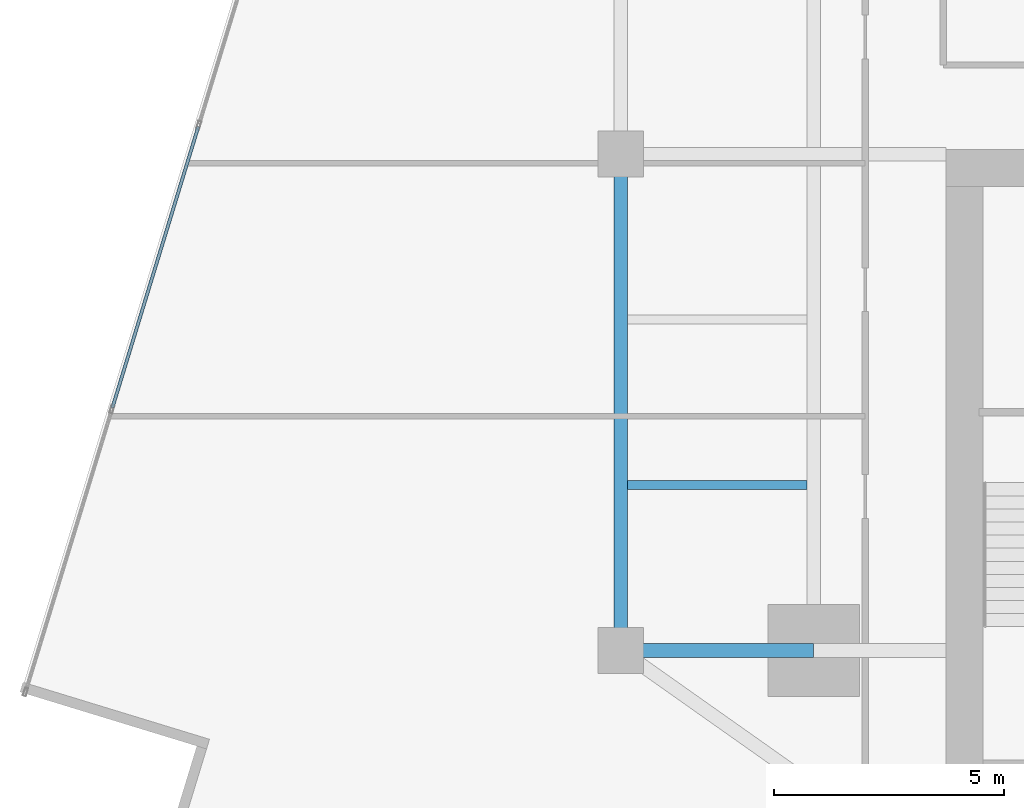
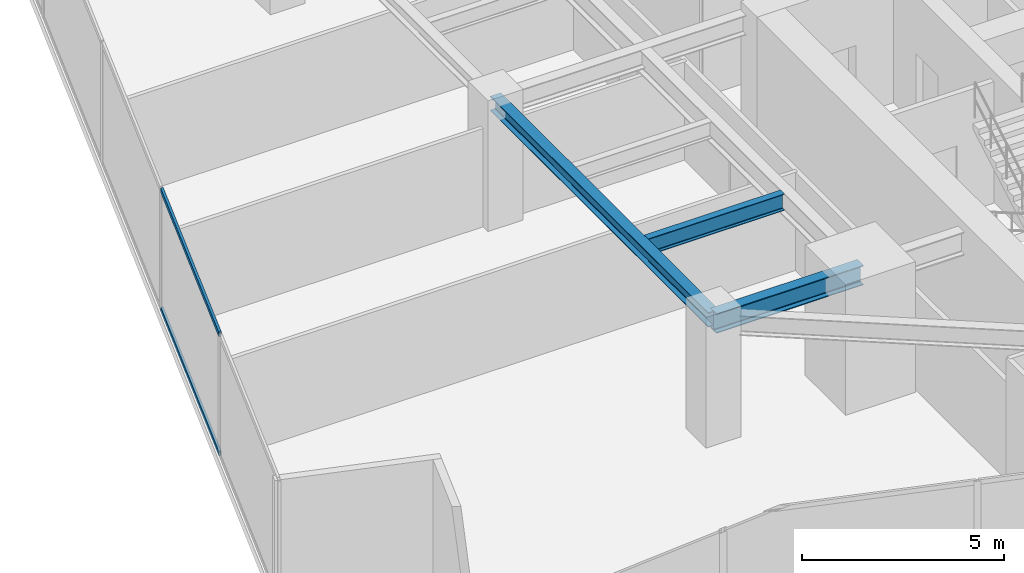
# One storey, part 6 of 26: 3 beams, 2 members, 1 element without a shape of its own.
"""IFC4 building model written with IfcOpenShell, lengths in metres."""

from ifc_helpers import new_model, si_unit, direction, frame, origin, origin_2d, place, context, subcontext, project, spatial, hollow_rectangle, i_section, extrude, source, transform, mapped, material, material_profile, profile_set, type_object, type_shapes, element, aggregate, save


model = new_model("IFC4")

# Units and contexts
model_context = context("Model", 3, precision=1e-05, world=origin(), true_north=direction((0.0, 1.0)))
body_context = subcontext(model_context, "Body", "Model", "MODEL_VIEW")
ifc_project = project(units=[si_unit("LENGTHUNIT", "METRE"), si_unit("AREAUNIT", "SQUARE_METRE"), si_unit("VOLUMEUNIT", "CUBIC_METRE"), si_unit("PLANEANGLEUNIT", "RADIAN"), si_unit("MASSUNIT", "GRAM", prefix="KILO")], contexts=[model_context])

# Site, building, storey
site_placement = place(None, origin())
site = spatial("IfcSite", under=ifc_project, at=site_placement, CompositionType="ELEMENT")
building_placement = place(site_placement, origin())
building = spatial("IfcBuilding", under=site, at=building_placement, Name="Krantzveldt Concourse Tower", CompositionType="ELEMENT")
storey_placement = place(building_placement, frame((0.0, 0.0, 113.75)))
storey = spatial("IfcBuildingStorey", under=building, at=storey_placement, Name="L27", CompositionType="ELEMENT", Elevation=113.75)

# Beams
ifc_material_1 = material(Name="Steel S355JR", Category="steel")
ifc_material_profile_1 = material_profile(ifc_material_1, i_section(OverallWidth=0.300048828125, OverallDepth=0.43994140625, WebThickness=0.011474609375, FlangeThickness=0.02099609375, FilletRadius=0.027099609375, at=origin_2d()), Name="Steel S355JR", Category="steel")
ifc_profile_set_1 = profile_set([ifc_material_profile_1], Name="Steel S355JR - HEA 450")
beam_type_1 = type_object("IfcBeamType", Name="BM-SP-HEA450", PredefinedType="SPANDREL", material=ifc_profile_set_1)
shared_shape_1 = source(origin(), body_context, "Body", "SweptSolid", [
    extrude(i_section(OverallWidth=0.300048828125, OverallDepth=0.43994140625, WebThickness=0.011474609375, FlangeThickness=0.02099609375, FilletRadius=0.027099609375, at=origin_2d()), origin(), (0.0, 0.0, 1.0), 10.800048828125),
])
type_shapes(beam_type_1, [shared_shape_1])
beam_1_placement = place(storey_placement, frame((21.0, 15.89990234375, 3.449951171875), z_axis=(0.0, 1.0, 0.0), x_axis=(-1.0, 0.0, 0.0)))
element("IfcBeam", 1, at=beam_1_placement, inside=storey, type_object=beam_type_1, Name="L27 Tower Girder SP-R01", PredefinedType="SPANDREL", context=body_context, shape_type="MappedRepresentation", body=[
    mapped(shared_shape_1, transform((0.0, 0.0, 0.0), x_axis=(1.0, 0.0, 0.0), y_axis=(0.0, 1.0, 0.0), z_axis=(0.0, 0.0, 1.0), scale=1.0)),
])
ifc_material_profile_2 = material_profile(ifc_material_1, i_section(OverallWidth=0.300048828125, OverallDepth=0.590087890625, WebThickness=0.012939453125, FlangeThickness=0.02490234375, FilletRadius=0.027099609375, at=origin_2d()), Name="Steel S355JR", Category="steel")
ifc_profile_set_2 = profile_set([ifc_material_profile_2], Name="Steel S355JR - HEA 600")
beam_type_2 = type_object("IfcBeamType", Name="BM-B-HEA600", PredefinedType="BEAM", material=ifc_profile_set_2)
shared_shape_2 = source(origin(), body_context, "Body", "SweptSolid", [
    extrude(i_section(OverallWidth=0.300048828125, OverallDepth=0.590087890625, WebThickness=0.012939453125, FlangeThickness=0.02490234375, FilletRadius=0.027099609375, at=origin_2d()), origin(), (0.0, 0.0, 1.0), 4.199951171875),
])
type_shapes(beam_type_2, [shared_shape_2])
beam_2_placement = place(storey_placement, frame((21.0, 15.89990234375, 3.375), z_axis=(1.0, 0.0, 0.0), x_axis=(0.0, 1.0, 0.0)))
element("IfcBeam", 2, at=beam_2_placement, inside=storey, type_object=beam_type_2, Name="L27 Tower Girder BR-RL1", PredefinedType="BEAM", context=body_context, shape_type="MappedRepresentation", body=[
    mapped(shared_shape_2, transform((0.0, 0.0, 0.0), x_axis=(1.0, 0.0, 0.0), y_axis=(0.0, 1.0, 0.0), z_axis=(0.0, 0.0, 1.0), scale=1.0)),
])
ifc_material_profile_3 = material_profile(ifc_material_1, i_section(OverallWidth=0.199951171875, OverallDepth=0.5, WebThickness=0.01025390625, FlangeThickness=0.01611328125, FilletRadius=0.02099609375, at=origin_2d()), Name="Steel S355JR", Category="steel")
ifc_profile_set_3 = profile_set([ifc_material_profile_3], Name="Steel S355JR - IPE 500")
beam_type_3 = type_object("IfcBeamType", Name="BM-J-IPE500", PredefinedType="JOIST", material=ifc_profile_set_3)
shared_shape_3 = source(origin(), body_context, "Body", "SweptSolid", [
    extrude(i_section(OverallWidth=0.199951171875, OverallDepth=0.5, WebThickness=0.01025390625, FlangeThickness=0.01611328125, FilletRadius=0.02099609375, at=origin_2d()), origin(), (0.0, 0.0, 1.0), 3.900146484375),
])
type_shapes(beam_type_3, [shared_shape_3])
beam_3_placement = place(storey_placement, frame((21.14990234375, 19.5, 3.419921875), z_axis=(1.0, 0.0, 0.0), x_axis=(0.0, 1.0, 0.0)))
element("IfcBeam", 3, at=beam_3_placement, inside=storey, type_object=beam_type_3, Name="L27 Secondary Floor Joist JW-1", PredefinedType="JOIST", context=body_context, shape_type="MappedRepresentation", body=[
    mapped(shared_shape_3, transform((0.0, 0.0, 0.0), x_axis=(1.0, 0.0, 0.0), y_axis=(0.0, 1.0, 0.0), z_axis=(0.0, 0.0, 1.0), scale=1.0)),
])

# Curtain wall, members
ifc_material_2 = material(Name="Anodised aluminium 6063-T6", Category="aluminium")
curtain_wall_type = type_object("IfcCurtainWallType", Name="CW2", PredefinedType="USERDEFINED", material=ifc_material_2)
curtain_wall_placement = place(storey_placement, origin())
curtain_wall = element("IfcCurtainWall", 4, at=curtain_wall_placement, inside=storey, type_object=curtain_wall_type, Name="CW-L27-F01", ObjectType="UNITISED CURTAIN WALL", PredefinedType="USERDEFINED")
ifc_material_profile_4 = material_profile(ifc_material_2, hollow_rectangle(XDim=0.070068359375, YDim=0.139892578125, WallThickness=0.0048828125, at=origin_2d()), Name="Anodised aluminium 6063-T6", Category="aluminium")
ifc_profile_set_4 = profile_set([ifc_material_profile_4], Name="Anodised aluminium 6063-T6 - ALU-TRAN 140x70x5")
member_type = type_object("IfcMemberType", Name="CW-TRN-150", PredefinedType="USERDEFINED", material=ifc_profile_set_4)
shared_shape_4 = source(origin(), body_context, "Body", "SweptSolid", [
    extrude(hollow_rectangle(XDim=0.070068359375, YDim=0.139892578125, WallThickness=0.0048828125, at=origin_2d()), origin(), (0.0, 0.0, 1.0), 6.396728515625),
])
type_shapes(member_type, [shared_shape_4])
member_1_placement = place(storey_placement, frame((11.8076171875, 27.297607421875, 0.034912109375), z_axis=(-0.292358163404, -0.956308895855, 0.0), x_axis=(0.956308895855, -0.292358163404, 0.0)))
member_1 = element("IfcMember", 5, at=member_1_placement, type_object=member_type, Name="CW-Z12 transom 5.1", ObjectType="TRANSOM", PredefinedType="USERDEFINED", context=body_context, shape_type="MappedRepresentation", body=[
    mapped(shared_shape_4, transform((0.0, 0.0, 0.0), x_axis=(1.0, 0.0, 0.0), y_axis=(0.0, 1.0, 0.0), z_axis=(0.0, 0.0, 1.0), scale=1.0)),
])
member_2_placement = place(storey_placement, frame((11.8076171875, 27.297607421875, 3.635009765625), z_axis=(-0.292358163404, -0.956308895855, 0.0), x_axis=(0.956308895855, -0.292358163404, 0.0)))
member_2 = element("IfcMember", 6, at=member_2_placement, type_object=member_type, Name="CW-Z12 transom 5.2", ObjectType="TRANSOM", PredefinedType="USERDEFINED", context=body_context, shape_type="MappedRepresentation", body=[
    mapped(shared_shape_4, transform((0.0, 0.0, 0.0), x_axis=(1.0, 0.0, 0.0), y_axis=(0.0, 1.0, 0.0), z_axis=(0.0, 0.0, 1.0), scale=1.0)),
])
aggregate(curtain_wall, [member_1, member_2])

save(model, "model.ifc")
